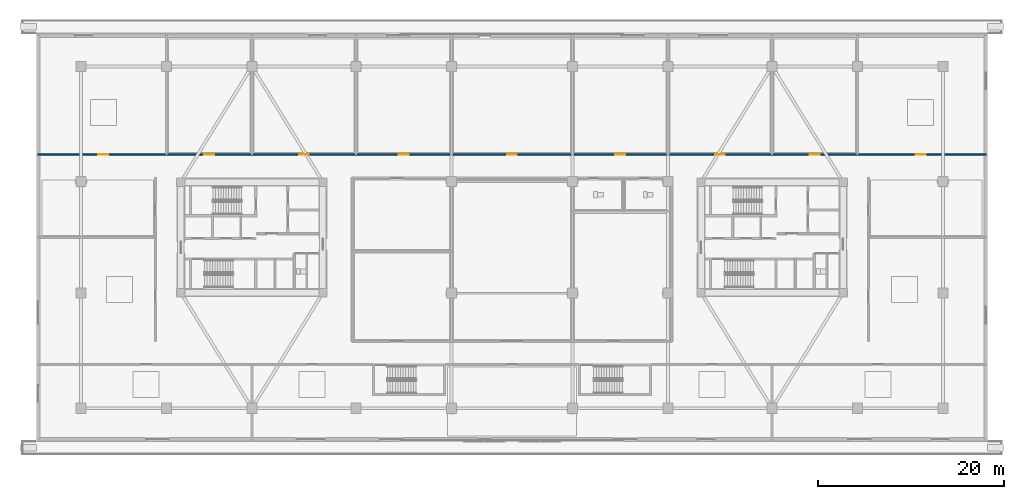
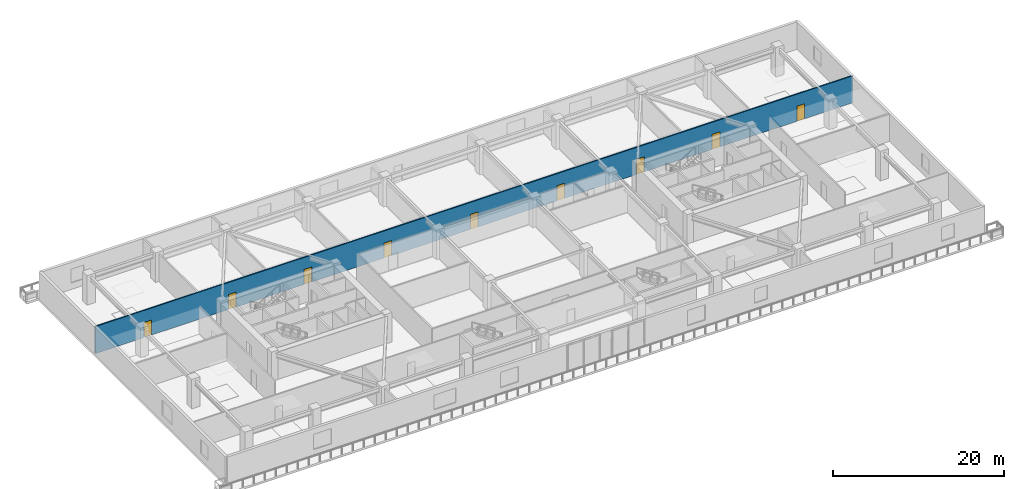
# One storey, part 8 of 23: 9 doors, 1 wall, 9 openings.
"""IFC4 building model written with IfcOpenShell, lengths in metres."""

from ifc_helpers import new_model, si_unit, direction, frame, frame_2d, origin, place, context, subcontext, project, spatial, rectangle, extrude, source, transform, mapped, material, layer, layer_set, type_object, type_shapes, element, fill, save


model = new_model("IFC4")

# Units and contexts
model_context = context("Model", 3, precision=1e-05, world=origin(), true_north=direction((0.0, 1.0)))
body_context = subcontext(model_context, "Body", "Model", "MODEL_VIEW")
ifc_project = project(units=[si_unit("LENGTHUNIT", "METRE"), si_unit("AREAUNIT", "SQUARE_METRE"), si_unit("VOLUMEUNIT", "CUBIC_METRE"), si_unit("PLANEANGLEUNIT", "RADIAN"), si_unit("MASSUNIT", "GRAM", prefix="KILO")], contexts=[model_context])

# Site, building, storey
site_placement = place(None, origin())
site = spatial("IfcSite", under=ifc_project, at=site_placement, CompositionType="ELEMENT")
building_placement = place(site_placement, origin())
building = spatial("IfcBuilding", under=site, at=building_placement, Name="Norrkilde Senior Care Towers", CompositionType="ELEMENT")
storey_placement = place(building_placement, frame((0.0, 0.0, 8.39990234375)))
storey = spatial("IfcBuildingStorey", under=building, at=storey_placement, Name="L02", CompositionType="ELEMENT", Elevation=8.39990234375)

# Wall, openings, doors
ifc_material_1 = material(Name="Gypsum Acoustic Board")
ifc_layer = layer(ifc_material_1, 0.1650390625)
ifc_layer_set = layer_set([ifc_layer], Name="Gypsum Acoustic Board")
wall_type = type_object("IfcWallType", Name="Corridor Rated Partition 165", PredefinedType="PARTITIONING", material=ifc_layer_set)
shared_shape_1 = source(origin(), body_context, "Body", "SweptSolid", [
    extrude(rectangle(XDim=102.10009765625, YDim=0.1650390625, at=frame_2d((51.050048828125, 0.0))), origin(), (0.0, 0.0, 1.0), 3.864990234375),
])
type_shapes(wall_type, [shared_shape_1])
wall_placement = place(storey_placement, frame((-51.050048828125, 8.89990234375, 0.0), z_axis=(0.0, 0.0, 1.0), x_axis=(1.0, 0.0, 0.0)))
wall = element("IfcWall", 1, at=wall_placement, inside=storey, type_object=wall_type, Name="WL-INT-L02-POD-NPS", PredefinedType="PARTITIONING", context=body_context, shape_type="MappedRepresentation", body=[
    mapped(shared_shape_1, transform((0.0, 0.0, 0.0), x_axis=(1.0, 0.0, 0.0), y_axis=(0.0, 1.0, 0.0), z_axis=(0.0, 0.0, 1.0), scale=1.0)),
])
opening_1_placement = place(wall_placement, frame((6.52490234375, 0.0, 0.0)))
opening_1 = element("IfcOpeningElement", 2, at=opening_1_placement, cuts=wall, Name="Opening D-06", PredefinedType="OPENING", context=body_context, shape_type="SweptSolid", body=[
    extrude(rectangle(XDim=1.050048828125, YDim=2.14990234375, at=frame_2d((0.52490234375, 1.074951171875))), frame((0.0, 0.092529296875, 0.0), z_axis=(0.0, -1.0, 0.0), x_axis=(1.0, 0.0, 0.0)), (0.0, 0.0, 1.0), 0.18505859375),
])
opening_2_placement = place(wall_placement, frame((17.925048828125, 0.0, 0.0)))
opening_2 = element("IfcOpeningElement", 3, at=opening_2_placement, cuts=wall, Name="Opening D-06", PredefinedType="OPENING", context=body_context, shape_type="SweptSolid", body=[
    extrude(rectangle(XDim=1.050048828125, YDim=2.14990234375, at=frame_2d((0.52490234375, 1.074951171875))), frame((0.0, 0.092529296875, 0.0), z_axis=(0.0, -1.0, 0.0), x_axis=(1.0, 0.0, 0.0)), (0.0, 0.0, 1.0), 0.18505859375),
])
opening_3_placement = place(wall_placement, frame((28.125, 0.0, 0.0)))
opening_3 = element("IfcOpeningElement", 4, at=opening_3_placement, cuts=wall, Name="Opening D-06", PredefinedType="OPENING", context=body_context, shape_type="SweptSolid", body=[
    extrude(rectangle(XDim=1.050048828125, YDim=2.14990234375, at=frame_2d((0.52490234375, 1.074951171875))), frame((0.0, 0.092529296875, 0.0), z_axis=(0.0, -1.0, 0.0), x_axis=(1.0, 0.0, 0.0)), (0.0, 0.0, 1.0), 0.18505859375),
])
opening_4_placement = place(wall_placement, frame((38.875, 0.0, 0.0)))
opening_4 = element("IfcOpeningElement", 5, at=opening_4_placement, cuts=wall, Name="Opening D-06", PredefinedType="OPENING", context=body_context, shape_type="SweptSolid", body=[
    extrude(rectangle(XDim=1.050048828125, YDim=2.14990234375, at=frame_2d((0.52490234375, 1.074951171875))), frame((0.0, 0.092529296875, 0.0), z_axis=(0.0, -1.0, 0.0), x_axis=(1.0, 0.0, 0.0)), (0.0, 0.0, 1.0), 0.18505859375),
])
opening_5_placement = place(wall_placement, frame((50.52490234375, 0.0, 0.0)))
opening_5 = element("IfcOpeningElement", 6, at=opening_5_placement, cuts=wall, Name="Opening D-06", PredefinedType="OPENING", context=body_context, shape_type="SweptSolid", body=[
    extrude(rectangle(XDim=1.050048828125, YDim=2.14990234375, at=frame_2d((0.52490234375, 1.074951171875))), frame((0.0, 0.092529296875, 0.0), z_axis=(0.0, -1.0, 0.0), x_axis=(1.0, 0.0, 0.0)), (0.0, 0.0, 1.0), 0.18505859375),
])
opening_6_placement = place(wall_placement, frame((62.175048828125, 0.0, 0.0)))
opening_6 = element("IfcOpeningElement", 7, at=opening_6_placement, cuts=wall, Name="Opening D-06", PredefinedType="OPENING", context=body_context, shape_type="SweptSolid", body=[
    extrude(rectangle(XDim=1.050048828125, YDim=2.14990234375, at=frame_2d((0.52490234375, 1.074951171875))), frame((0.0, 0.092529296875, 0.0), z_axis=(0.0, -1.0, 0.0), x_axis=(1.0, 0.0, 0.0)), (0.0, 0.0, 1.0), 0.18505859375),
])
opening_7_placement = place(wall_placement, frame((72.925048828125, 0.0, 0.0)))
opening_7 = element("IfcOpeningElement", 8, at=opening_7_placement, cuts=wall, Name="Opening D-06", PredefinedType="OPENING", context=body_context, shape_type="SweptSolid", body=[
    extrude(rectangle(XDim=1.050048828125, YDim=2.14990234375, at=frame_2d((0.52490234375, 1.074951171875))), frame((0.0, 0.092529296875, 0.0), z_axis=(0.0, -1.0, 0.0), x_axis=(1.0, 0.0, 0.0)), (0.0, 0.0, 1.0), 0.18505859375),
])
opening_8_placement = place(wall_placement, frame((83.125, 0.0, 0.0)))
opening_8 = element("IfcOpeningElement", 9, at=opening_8_placement, cuts=wall, Name="Opening D-06", PredefinedType="OPENING", context=body_context, shape_type="SweptSolid", body=[
    extrude(rectangle(XDim=1.050048828125, YDim=2.14990234375, at=frame_2d((0.52490234375, 1.074951171875))), frame((0.0, 0.092529296875, 0.0), z_axis=(0.0, -1.0, 0.0), x_axis=(1.0, 0.0, 0.0)), (0.0, 0.0, 1.0), 0.18505859375),
])
opening_9_placement = place(wall_placement, frame((94.52490234375, 0.0, 0.0)))
opening_9 = element("IfcOpeningElement", 10, at=opening_9_placement, cuts=wall, Name="Opening D-06", PredefinedType="OPENING", context=body_context, shape_type="SweptSolid", body=[
    extrude(rectangle(XDim=1.050048828125, YDim=2.14990234375, at=frame_2d((0.52490234375, 1.074951171875))), frame((0.0, 0.092529296875, 0.0), z_axis=(0.0, -1.0, 0.0), x_axis=(1.0, 0.0, 0.0)), (0.0, 0.0, 1.0), 0.18505859375),
])
ifc_material_2 = material(Name="Nordic Ash Timber", Category="wood")
door_type = type_object("IfcDoorType", Name="Apartment Entrance Fire Door 1050x2150", OperationType="NOTDEFINED", PredefinedType="DOOR", material=ifc_material_2)
shared_shape_2 = source(origin(), body_context, "Body", "SweptSolid", [
    extrude(rectangle(XDim=1.050048828125, YDim=2.14990234375, at=frame_2d((0.52490234375, 1.074951171875))), frame((0.0, 0.02490234375, 0.0), z_axis=(0.0, -1.0, 0.0), x_axis=(1.0, 0.0, 0.0)), (0.0, 0.0, 1.0), 0.050048828125),
])
type_shapes(door_type, [shared_shape_2])
door_1_placement = place(opening_1_placement, origin())
door_1 = element("IfcDoor", 11, at=door_1_placement, inside=storey, type_object=door_type, Name="L02 North Suite 1 Door", OperationType="SINGLE_SWING_LEFT", OverallHeight=2.14990234375, OverallWidth=1.050048828125, PredefinedType="DOOR", context=body_context, shape_type="MappedRepresentation", body=[
    mapped(shared_shape_2, transform((0.0, 0.0, 0.0), x_axis=(1.0, 0.0, 0.0), y_axis=(0.0, 1.0, 0.0), z_axis=(0.0, 0.0, 1.0), scale=1.0)),
])
fill(opening_1, door_1)
door_2_placement = place(opening_2_placement, origin())
door_2 = element("IfcDoor", 12, at=door_2_placement, inside=storey, type_object=door_type, Name="L02 North Suite 2 Door", OperationType="SINGLE_SWING_RIGHT", OverallHeight=2.14990234375, OverallWidth=1.050048828125, PredefinedType="DOOR", context=body_context, shape_type="MappedRepresentation", body=[
    mapped(shared_shape_2, transform((0.0, 0.0, 0.0), x_axis=(1.0, 0.0, 0.0), y_axis=(0.0, 1.0, 0.0), z_axis=(0.0, 0.0, 1.0), scale=1.0)),
])
fill(opening_2, door_2)
door_3_placement = place(opening_3_placement, origin())
door_3 = element("IfcDoor", 13, at=door_3_placement, inside=storey, type_object=door_type, Name="L02 North Suite 3 Door", OperationType="SINGLE_SWING_LEFT", OverallHeight=2.14990234375, OverallWidth=1.050048828125, PredefinedType="DOOR", context=body_context, shape_type="MappedRepresentation", body=[
    mapped(shared_shape_2, transform((0.0, 0.0, 0.0), x_axis=(1.0, 0.0, 0.0), y_axis=(0.0, 1.0, 0.0), z_axis=(0.0, 0.0, 1.0), scale=1.0)),
])
fill(opening_3, door_3)
door_4_placement = place(opening_4_placement, origin())
door_4 = element("IfcDoor", 14, at=door_4_placement, inside=storey, type_object=door_type, Name="L02 North Suite 4 Door", OperationType="SINGLE_SWING_RIGHT", OverallHeight=2.14990234375, OverallWidth=1.050048828125, PredefinedType="DOOR", context=body_context, shape_type="MappedRepresentation", body=[
    mapped(shared_shape_2, transform((0.0, 0.0, 0.0), x_axis=(1.0, 0.0, 0.0), y_axis=(0.0, 1.0, 0.0), z_axis=(0.0, 0.0, 1.0), scale=1.0)),
])
fill(opening_4, door_4)
door_5_placement = place(opening_5_placement, origin())
door_5 = element("IfcDoor", 15, at=door_5_placement, inside=storey, type_object=door_type, Name="L02 North Suite 5 Door", OperationType="SINGLE_SWING_LEFT", OverallHeight=2.14990234375, OverallWidth=1.050048828125, PredefinedType="DOOR", context=body_context, shape_type="MappedRepresentation", body=[
    mapped(shared_shape_2, transform((0.0, 0.0, 0.0), x_axis=(1.0, 0.0, 0.0), y_axis=(0.0, 1.0, 0.0), z_axis=(0.0, 0.0, 1.0), scale=1.0)),
])
fill(opening_5, door_5)
door_6_placement = place(opening_6_placement, origin())
door_6 = element("IfcDoor", 16, at=door_6_placement, inside=storey, type_object=door_type, Name="L02 North Suite 6 Door", OperationType="SINGLE_SWING_RIGHT", OverallHeight=2.14990234375, OverallWidth=1.050048828125, PredefinedType="DOOR", context=body_context, shape_type="MappedRepresentation", body=[
    mapped(shared_shape_2, transform((0.0, 0.0, 0.0), x_axis=(1.0, 0.0, 0.0), y_axis=(0.0, 1.0, 0.0), z_axis=(0.0, 0.0, 1.0), scale=1.0)),
])
fill(opening_6, door_6)
door_7_placement = place(opening_7_placement, origin())
door_7 = element("IfcDoor", 17, at=door_7_placement, inside=storey, type_object=door_type, Name="L02 North Suite 7 Door", OperationType="SINGLE_SWING_LEFT", OverallHeight=2.14990234375, OverallWidth=1.050048828125, PredefinedType="DOOR", context=body_context, shape_type="MappedRepresentation", body=[
    mapped(shared_shape_2, transform((0.0, 0.0, 0.0), x_axis=(1.0, 0.0, 0.0), y_axis=(0.0, 1.0, 0.0), z_axis=(0.0, 0.0, 1.0), scale=1.0)),
])
fill(opening_7, door_7)
door_8_placement = place(opening_8_placement, origin())
door_8 = element("IfcDoor", 18, at=door_8_placement, inside=storey, type_object=door_type, Name="L02 North Suite 8 Door", OperationType="SINGLE_SWING_RIGHT", OverallHeight=2.14990234375, OverallWidth=1.050048828125, PredefinedType="DOOR", context=body_context, shape_type="MappedRepresentation", body=[
    mapped(shared_shape_2, transform((0.0, 0.0, 0.0), x_axis=(1.0, 0.0, 0.0), y_axis=(0.0, 1.0, 0.0), z_axis=(0.0, 0.0, 1.0), scale=1.0)),
])
fill(opening_8, door_8)
door_9_placement = place(opening_9_placement, origin())
door_9 = element("IfcDoor", 19, at=door_9_placement, inside=storey, type_object=door_type, Name="L02 North Suite 9 Door", OperationType="SINGLE_SWING_LEFT", OverallHeight=2.14990234375, OverallWidth=1.050048828125, PredefinedType="DOOR", context=body_context, shape_type="MappedRepresentation", body=[
    mapped(shared_shape_2, transform((0.0, 0.0, 0.0), x_axis=(1.0, 0.0, 0.0), y_axis=(0.0, 1.0, 0.0), z_axis=(0.0, 0.0, 1.0), scale=1.0)),
])
fill(opening_9, door_9)

save(model, "model.ifc")
